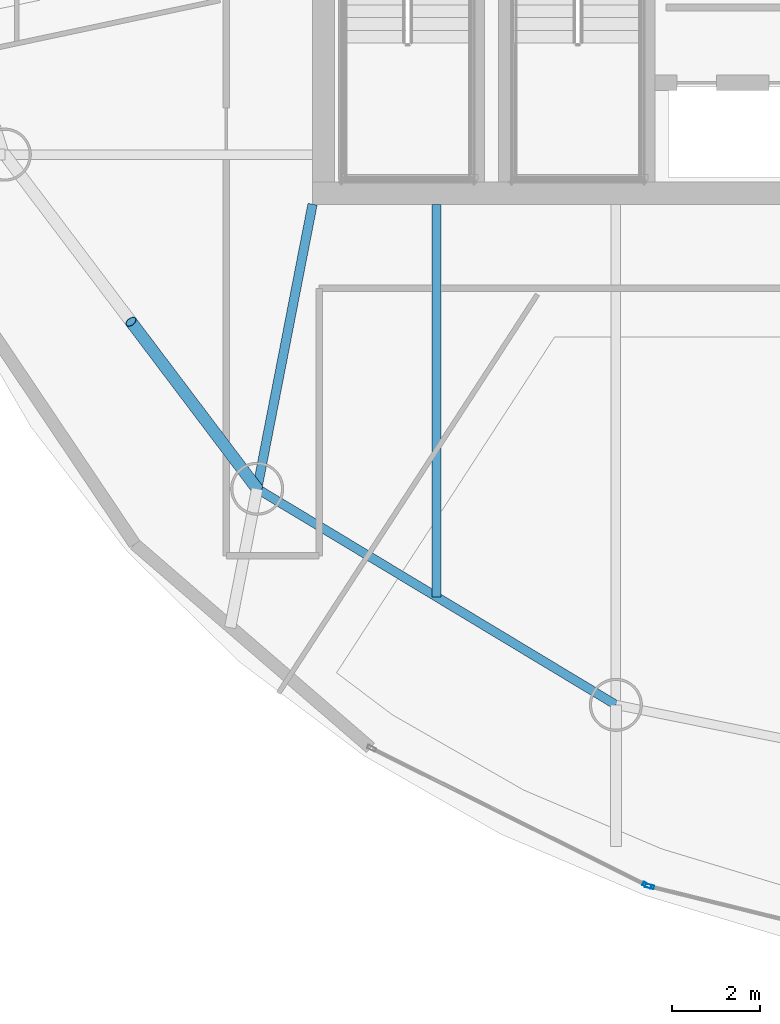
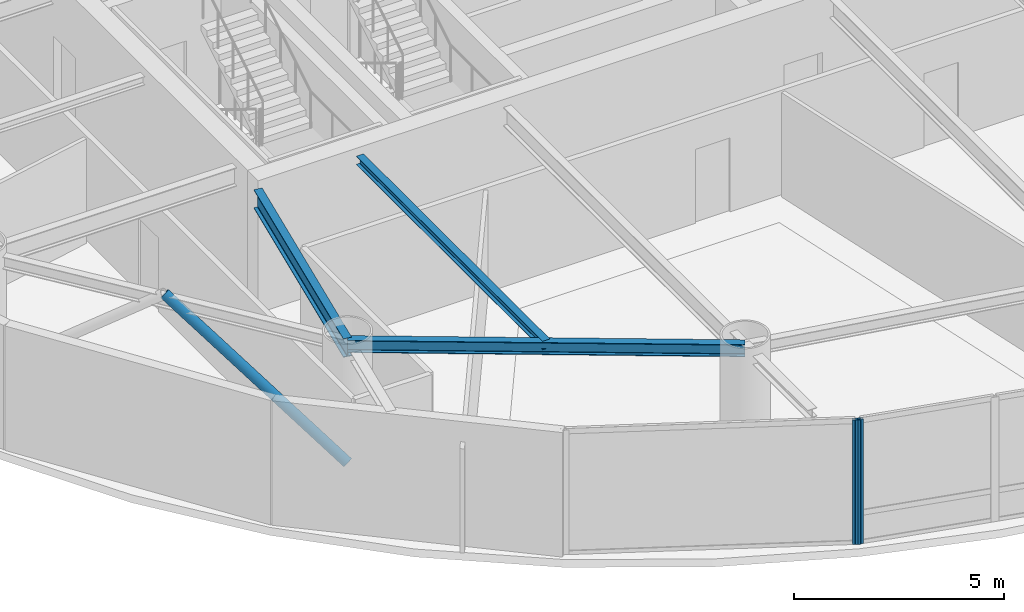
# One storey, part 3 of 22: 3 beams, 3 members, 2 elements without a shape of their own.
"""IFC4 building model written with IfcOpenShell, lengths in metres."""

from ifc_helpers import new_model, si_unit, direction, frame, origin, origin_2d, place, context, subcontext, project, spatial, hollow_rectangle, hollow_circle, i_section, extrude, material, layer, layer_set, material_profile, profile_set, type_object, element, aggregate, save


model = new_model("IFC4")

# Units and contexts
model_context = context("Model", 3, precision=1e-05, world=origin(), true_north=direction((0.0, 1.0)))
body_context = subcontext(model_context, "Body", "Model", "MODEL_VIEW")
ifc_project = project(units=[si_unit("LENGTHUNIT", "METRE"), si_unit("AREAUNIT", "SQUARE_METRE"), si_unit("VOLUMEUNIT", "CUBIC_METRE"), si_unit("PLANEANGLEUNIT", "RADIAN"), si_unit("MASSUNIT", "GRAM", prefix="KILO")], contexts=[model_context])

# Site, building, storey
site_placement = place(None, origin())
site = spatial("IfcSite", under=ifc_project, at=site_placement, CompositionType="ELEMENT")
building_placement = place(site_placement, origin())
building = spatial("IfcBuilding", under=site, at=building_placement, Name="Bramvorn Convention Spire", CompositionType="ELEMENT")
storey_placement = place(building_placement, frame((0.0, 0.0, 225.10009765625)))
storey = spatial("IfcBuildingStorey", under=building, at=storey_placement, Name="L57", CompositionType="ELEMENT", Elevation=225.10009765625)

# Beams
ifc_material_1 = material(Name="Steel CSA G40.21 Grade 350 (350W)", Category="steel")
ifc_material_profile_1 = material_profile(ifc_material_1, i_section(OverallWidth=0.201904296875, OverallDepth=0.2470703125, WebThickness=0.00732421875, FlangeThickness=0.010986328125, FilletRadius=0.011962890625, at=origin_2d()))
ifc_profile_set_1 = profile_set([ifc_material_profile_1], Name="Steel CSA G40.21 Grade 350 (350W) - W250X49")
beam_type_1 = type_object("IfcBeamType", Name="BM-W250X49", PredefinedType="JOIST", material=ifc_profile_set_1)
beam_1_placement = place(storey_placement, frame((29.554443359375, 18.550048828125, 3.496337890625), z_axis=(0.0, -1.0, 0.0), x_axis=(1.0, 0.0, 0.0)))
element("IfcBeam", 1, at=beam_1_placement, inside=storey, type_object=beam_type_1, Name="L57 composite floor joist 13", PredefinedType="JOIST", context=body_context, shape_type="SweptSolid", body=[
    extrude(i_section(OverallWidth=0.201904296875, OverallDepth=0.2470703125, WebThickness=0.00732421875, FlangeThickness=0.010986328125, FilletRadius=0.011962890625, at=origin_2d()), origin(), (0.0, 0.0, 1.0), 8.878662109375),
])
ifc_material_profile_2 = material_profile(ifc_material_1, i_section(OverallWidth=0.205078125, OverallDepth=0.35400390625, WebThickness=0.009521484375, FlangeThickness=0.016845703125, FilletRadius=0.014892578125, at=origin_2d()))
ifc_profile_set_2 = profile_set([ifc_material_profile_2], Name="Steel CSA G40.21 Grade 350 (350W) - W360X79")
beam_type_2 = type_object("IfcBeamType", Name="BM-W360X79", PredefinedType="JOIST", material=ifc_profile_set_2)
beam_2_placement = place(storey_placement, frame((25.498046875, 12.114990234375, 3.44287109375), z_axis=(0.856581795745, -0.516011266543, 0.0), x_axis=(0.516011266543, 0.856581795745, 0.0)))
element("IfcBeam", 2, at=beam_2_placement, inside=storey, type_object=beam_type_2, Name="L57 mega-column ring beam 13", PredefinedType="JOIST", context=body_context, shape_type="SweptSolid", body=[
    extrude(i_section(OverallWidth=0.205078125, OverallDepth=0.35400390625, WebThickness=0.009521484375, FlangeThickness=0.016845703125, FilletRadius=0.014892578125, at=origin_2d()), origin(), (0.0, 0.0, 1.0), 9.47119140625),
])
ifc_material_profile_3 = material_profile(ifc_material_1, i_section(OverallWidth=0.2119140625, OverallDepth=0.5439453125, WebThickness=0.01318359375, FlangeThickness=0.021240234375, FilletRadius=0.01904296875, at=origin_2d()))
ifc_profile_set_3 = profile_set([ifc_material_profile_3], Name="Steel CSA G40.21 Grade 350 (350W) - W530X123")
beam_type_3 = type_object("IfcBeamType", Name="BM-W530X123", PredefinedType="BEAM", material=ifc_profile_set_3)
beam_3_placement = place(storey_placement, frame((26.75, 18.550048828125, 3.347900390625), z_axis=(-0.190971329886, -0.981595614885, 0.0), x_axis=(0.981595614885, -0.190971329886, 0.0)))
element("IfcBeam", 3, at=beam_3_placement, inside=storey, type_object=beam_type_3, Name="L57 radial floor girder MC13", PredefinedType="BEAM", context=body_context, shape_type="SweptSolid", body=[
    extrude(i_section(OverallWidth=0.2119140625, OverallDepth=0.5439453125, WebThickness=0.01318359375, FlangeThickness=0.021240234375, FilletRadius=0.01904296875, at=origin_2d()), origin(), (0.0, 0.0, 1.0), 6.5556640625),
])

# Curtain wall, member
ifc_material_2 = material(Name="Anodised Bronze Unitised Curtain Wall", Category="aluminium")
ifc_layer = layer(ifc_material_2, 0.179931640625)
ifc_layer_set = layer_set([ifc_layer], Name="Anodised Bronze Unitised Curtain Wall - CW-OFF-FRIT")
curtain_wall_type = type_object("IfcCurtainWallType", Name="CW-OFF-FRIT", PredefinedType="USERDEFINED", material=ifc_layer_set)
curtain_wall_1_placement = place(storey_placement, origin())
curtain_wall_1 = element("IfcCurtainWall", 4, at=curtain_wall_1_placement, inside=storey, type_object=curtain_wall_type, Name="L57 fritted glass curtain wall 20", ObjectType="UNITISED CURTAIN WALL", PredefinedType="USERDEFINED")
ifc_material_3 = material(Name="Anodised Bronze Aluminium 6063-T6", Category="aluminium")
ifc_material_profile_4 = material_profile(ifc_material_3, hollow_rectangle(XDim=0.080078125, YDim=0.199951171875, WallThickness=0.00390625, InnerFilletRadius=0.0009765625, OuterFilletRadius=0.00390625, at=origin_2d()))
ifc_profile_set_4 = profile_set([ifc_material_profile_4], Name="Anodised Bronze Aluminium 6063-T6 - CWM80X200")
member_type_1 = type_object("IfcMemberType", Name="CW-MUL-180", PredefinedType="MULLION", material=ifc_profile_set_4)
member_1_placement = place(storey_placement, frame((34.316650390625, 3.1435546875, 0.0), z_axis=(0.0, 0.0, 1.0), x_axis=(-0.445565549791, -0.895249317698, 0.0)))
member_1 = element("IfcMember", 5, at=member_1_placement, type_object=member_type_1, Name="CW3 mullion 1", PredefinedType="MULLION", context=body_context, shape_type="SweptSolid", body=[
    extrude(hollow_rectangle(XDim=0.080078125, YDim=0.199951171875, WallThickness=0.00390625, InnerFilletRadius=0.0009765625, OuterFilletRadius=0.00390625, at=origin_2d()), origin(), (0.0, 0.0, 1.0), 3.619873046875),
])
aggregate(curtain_wall_1, [member_1])

curtain_wall_2_placement = place(storey_placement, origin())
curtain_wall_2 = element("IfcCurtainWall", 6, at=curtain_wall_2_placement, inside=storey, type_object=curtain_wall_type, Name="L57 fritted glass curtain wall 21", ObjectType="UNITISED CURTAIN WALL", PredefinedType="USERDEFINED")
member_2_placement = place(storey_placement, frame((34.372802734375, 3.123046875, 0.0), z_axis=(0.0, 0.0, 1.0), x_axis=(-0.240180059573, -0.970728354888, 0.0)))
member_2 = element("IfcMember", 7, at=member_2_placement, type_object=member_type_1, Name="CW3 mullion 3", PredefinedType="MULLION", context=body_context, shape_type="SweptSolid", body=[
    extrude(hollow_rectangle(XDim=0.080078125, YDim=0.199951171875, WallThickness=0.00390625, InnerFilletRadius=0.0009765625, OuterFilletRadius=0.00390625, at=origin_2d()), origin(), (0.0, 0.0, 1.0), 3.619873046875),
])
aggregate(curtain_wall_2, [member_2])

# Member
ifc_material_profile_5 = material_profile(ifc_material_1, hollow_circle(Radius=0.136474609375, WallThickness=0.0126953125, at=origin_2d()))
ifc_profile_set_5 = profile_set([ifc_material_profile_5], Name="Steel CSA G40.21 Grade 350 (350W) - CHS273X13")
member_type_2 = type_object("IfcMemberType", Name="MBR-CHS273X13", PredefinedType="BRACE", material=ifc_profile_set_5)
member_3_placement = place(storey_placement, frame((25.498046875, 12.114990234375, 0.0), z_axis=(-0.478846711924, 0.633956839206, 0.607292806235), x_axis=(-0.797953827999, -0.602718581414, 0.0)))
element("IfcMember", 8, at=member_3_placement, inside=storey, type_object=member_type_2, Name="L57 perimeter Gothic lancet brace 12B", PredefinedType="BRACE", context=body_context, shape_type="SweptSolid", body=[
    extrude(hollow_circle(Radius=0.136474609375, WallThickness=0.0126953125, at=origin_2d()), origin(), (0.0, 0.0, 1.0), 5.960693359375),
])

save(model, "model.ifc")
